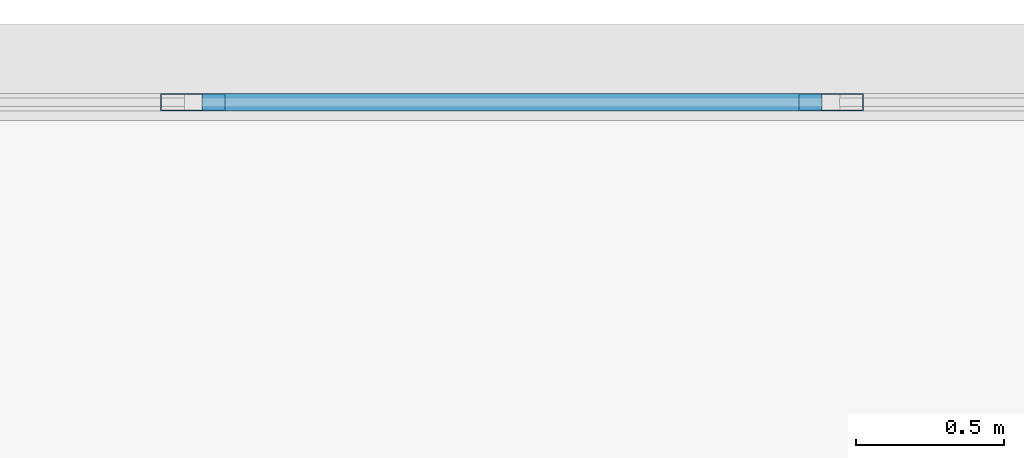
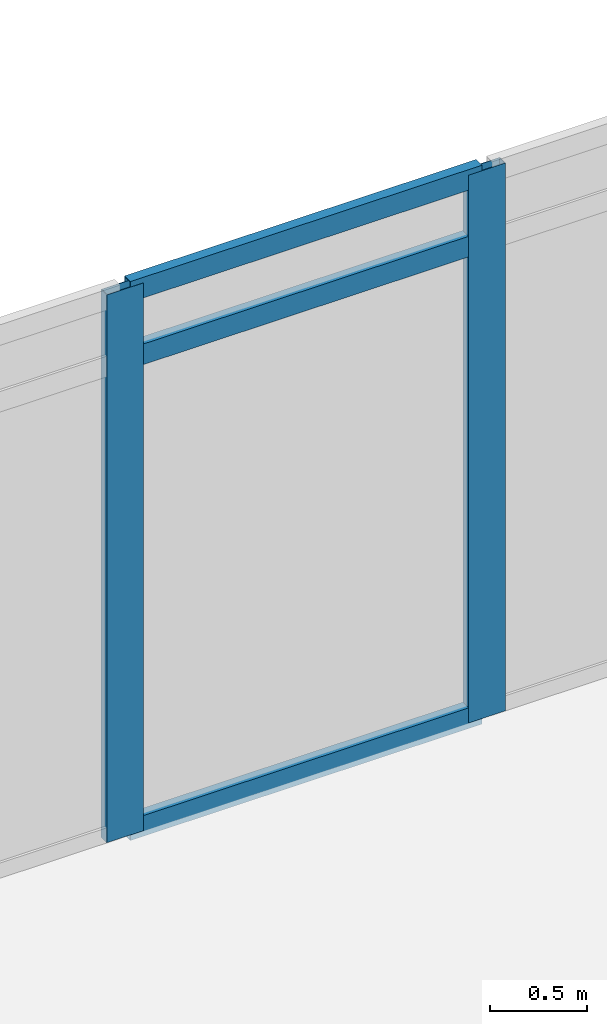
# One storey, part 17 of 29: 5 members, 1 element without a shape of its own.
"""IFC4 building model written with IfcOpenShell, lengths in metres."""

from ifc_helpers import new_model, si_unit, direction, frame, origin, origin_2d, place, context, subcontext, project, spatial, hollow_rectangle, extrude, material, material_profile, profile_set, type_object, element, aggregate, save


model = new_model("IFC4")

# Units and contexts
model_context = context("Model", 3, precision=1e-05, world=origin(), true_north=direction((0.0, 1.0)))
body_context = subcontext(model_context, "Body", "Model", "MODEL_VIEW")
ifc_project = project(units=[si_unit("LENGTHUNIT", "METRE"), si_unit("AREAUNIT", "SQUARE_METRE"), si_unit("VOLUMEUNIT", "CUBIC_METRE"), si_unit("PLANEANGLEUNIT", "RADIAN"), si_unit("MASSUNIT", "GRAM", prefix="KILO")], contexts=[model_context])

# Site, building, storey
site_placement = place(None, origin())
site = spatial("IfcSite", under=ifc_project, at=site_placement, CompositionType="ELEMENT")
building_placement = place(site_placement, origin())
building = spatial("IfcBuilding", under=site, at=building_placement, Name="Ostrander Bayou Hotel Tower", CompositionType="ELEMENT")
storey_placement = place(building_placement, frame((0.0, 0.0, 205.75)))
storey = spatial("IfcBuildingStorey", under=building, at=storey_placement, Name="L51", CompositionType="ELEMENT", Elevation=205.75)

# Curtain wall, members
ifc_material_1 = material(Name="Aluminium and clear glass", Category="aluminium")
curtain_wall_type = type_object("IfcCurtainWallType", Name="CW-BAR glazed wall", PredefinedType="NOTDEFINED", material=ifc_material_1)
curtain_wall_placement = place(storey_placement, origin())
curtain_wall = element("IfcCurtainWall", 1, at=curtain_wall_placement, inside=storey, type_object=curtain_wall_type, Name="CW-BAR L51:SB4N:T", PredefinedType="NOTDEFINED")
ifc_material_2 = material(Name="Aluminium", Category="aluminium")
ifc_material_profile_1 = material_profile(ifc_material_2, hollow_rectangle(XDim=0.06005859375, YDim=0.219970703125, WallThickness=0.00390625, at=origin_2d()))
ifc_profile_set_1 = profile_set([ifc_material_profile_1], Name="Aluminium")
member_type_1 = type_object("IfcMemberType", Name="CW-BR mullion 60 x 220 mm", PredefinedType="MULLION", material=ifc_profile_set_1)
member_1_placement = place(storey_placement, frame((-3.23388671875, 27.916015625, 0.0), z_axis=(0.0, 0.0, 1.0), x_axis=(0.0, 1.0, 0.0)))
member_1 = element("IfcMember", 2, at=member_1_placement, type_object=member_type_1, Name="CW-BAR mullion 5", PredefinedType="MULLION", context=body_context, shape_type="SweptSolid", body=[
    extrude(hollow_rectangle(XDim=0.06005859375, YDim=0.219970703125, WallThickness=0.00390625, at=origin_2d()), origin(), (0.0, 0.0, 1.0), 3.449951171875),
])
member_2_placement = place(storey_placement, frame((-1.077880859375, 27.916015625, 0.0), z_axis=(0.0, 0.0, 1.0), x_axis=(0.0, 1.0, 0.0)))
member_2 = element("IfcMember", 3, at=member_2_placement, type_object=member_type_1, Name="CW-BAR mullion 6", PredefinedType="MULLION", context=body_context, shape_type="SweptSolid", body=[
    extrude(hollow_rectangle(XDim=0.06005859375, YDim=0.219970703125, WallThickness=0.00390625, at=origin_2d()), origin(), (0.0, 0.0, 1.0), 3.449951171875),
])
ifc_material_3 = material(Name="Aluminium", Category="aluminium")
ifc_material_profile_2 = material_profile(ifc_material_3, hollow_rectangle(XDim=0.06005859375, YDim=0.1298828125, WallThickness=0.00390625, at=origin_2d()))
ifc_profile_set_2 = profile_set([ifc_material_profile_2], Name="Aluminium")
member_type_2 = type_object("IfcMemberType", Name="CW-BR transom 60 x 130 mm", PredefinedType="USERDEFINED", material=ifc_profile_set_2)
member_3_placement = place(storey_placement, frame((-3.203857421875, 27.916015625, 0.030029296875), z_axis=(1.0, 0.0, 0.0), x_axis=(0.0, 1.0, 0.0)))
member_3 = element("IfcMember", 4, at=member_3_placement, type_object=member_type_2, Name="CW-BAR transom 5.1", ObjectType="TRANSOM", PredefinedType="USERDEFINED", context=body_context, shape_type="SweptSolid", body=[
    extrude(hollow_rectangle(XDim=0.06005859375, YDim=0.1298828125, WallThickness=0.00390625, at=origin_2d()), origin(), (0.0, 0.0, 1.0), 2.095947265625),
])
member_4_placement = place(storey_placement, frame((-3.203857421875, 27.916015625, 3.0), z_axis=(1.0, 0.0, 0.0), x_axis=(0.0, 1.0, 0.0)))
member_4 = element("IfcMember", 5, at=member_4_placement, type_object=member_type_2, Name="CW-BAR transom 5.2", ObjectType="TRANSOM", PredefinedType="USERDEFINED", context=body_context, shape_type="SweptSolid", body=[
    extrude(hollow_rectangle(XDim=0.06005859375, YDim=0.1298828125, WallThickness=0.00390625, at=origin_2d()), origin(), (0.0, 0.0, 1.0), 2.095947265625),
])
member_5_placement = place(storey_placement, frame((-3.203857421875, 27.916015625, 3.419921875), z_axis=(1.0, 0.0, 0.0), x_axis=(0.0, 1.0, 0.0)))
member_5 = element("IfcMember", 6, at=member_5_placement, type_object=member_type_2, Name="CW-BAR transom 5.3", ObjectType="TRANSOM", PredefinedType="USERDEFINED", context=body_context, shape_type="SweptSolid", body=[
    extrude(hollow_rectangle(XDim=0.06005859375, YDim=0.1298828125, WallThickness=0.00390625, at=origin_2d()), origin(), (0.0, 0.0, 1.0), 2.095947265625),
])
aggregate(curtain_wall, [member_1, member_2, member_3, member_4, member_5])

save(model, "model.ifc")
